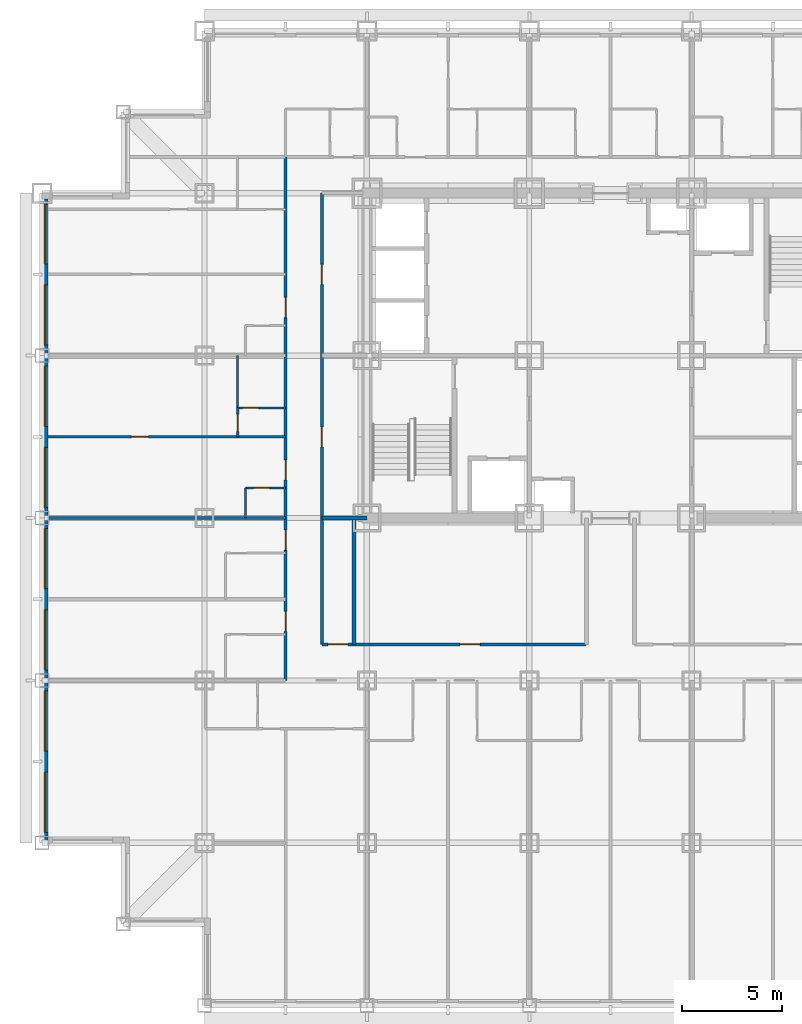
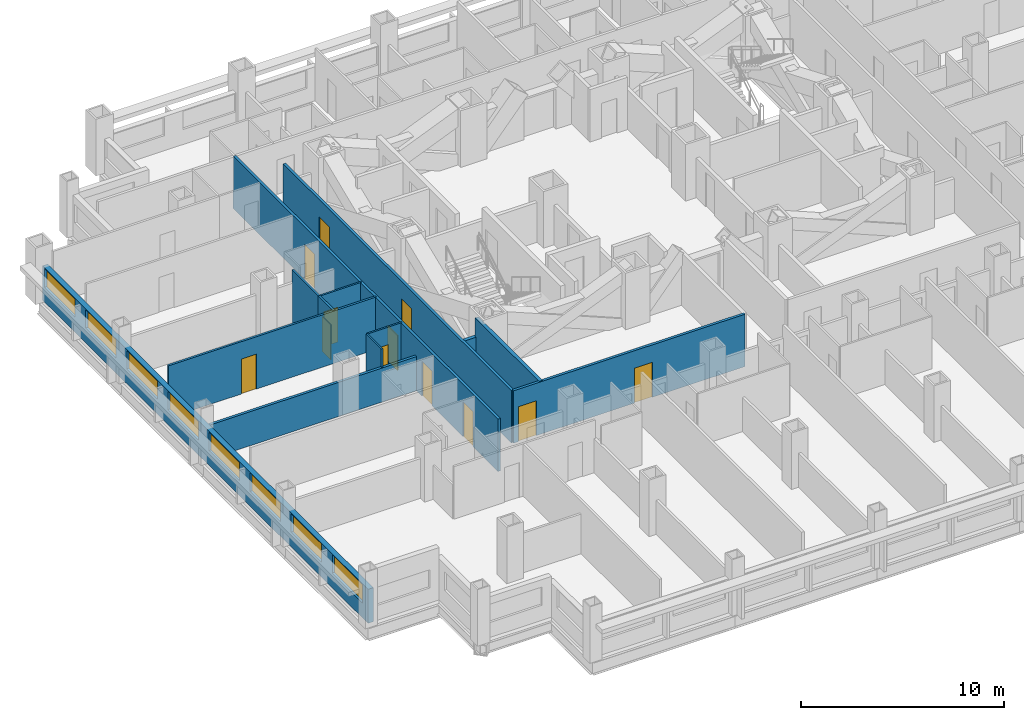
# One storey, part 5 of 12: 13 walls, 12 doors, 8 windows, 20 openings.
"""IFC4 building model written with IfcOpenShell, lengths in metres."""

from ifc_helpers import new_model, si_unit, direction, frame, frame_2d, origin, place, context, subcontext, project, spatial, rectangle, extrude, material, layer, layer_set, type_object, element, fill, save


model = new_model("IFC4")

# Units and contexts
model_context = context("Model", 3, precision=1e-05, world=origin(), true_north=direction((0.0, 1.0)))
body_context = subcontext(model_context, "Body", "Model", "MODEL_VIEW")
ifc_project = project(units=[si_unit("LENGTHUNIT", "METRE"), si_unit("AREAUNIT", "SQUARE_METRE"), si_unit("VOLUMEUNIT", "CUBIC_METRE"), si_unit("PLANEANGLEUNIT", "RADIAN"), si_unit("MASSUNIT", "GRAM", prefix="KILO")], contexts=[model_context])

# Site, building, storey
site_placement = place(None, origin())
site = spatial("IfcSite", under=ifc_project, at=site_placement, CompositionType="ELEMENT")
building_placement = place(site_placement, origin())
building = spatial("IfcBuilding", under=site, at=building_placement, Name="Kopane Lantern Tower", CompositionType="ELEMENT")
storey_placement = place(building_placement, frame((0.0, 0.0, 87.39990234375)))
storey = spatial("IfcBuildingStorey", under=building, at=storey_placement, Name="L22", CompositionType="ELEMENT", Elevation=87.39990234375)

# Wall, opening, door
ifc_material_1 = material(Name="Gypsum board on steel studs", Category="steel")
ifc_layer_1 = layer(ifc_material_1, 0.1201171875)
ifc_layer_set_1 = layer_set([ifc_layer_1], Name="APARTMENT INTERNAL WALL 120")
wall_type_1 = type_object("IfcWallType", Name="APARTMENT INTERNAL WALL 120", PredefinedType="PARTITIONING", material=ifc_layer_set_1)
wall_1_placement = place(storey_placement, frame((12.14990234375, 28.35009765625, 0.0), z_axis=(0.0, 0.0, 1.0), x_axis=(-1.0, 0.0, 0.0)))
wall_1 = element("IfcWall", 1, at=wall_1_placement, inside=storey, type_object=wall_type_1, Name="Apartment Internal Wall 120 L22", PredefinedType="PARTITIONING", context=body_context, shape_type="SweptSolid", body=[
    extrude(rectangle(XDim=11.849853515625, YDim=0.1201171875, at=frame_2d((5.9248046875, 0.0))), origin(), (0.0, 0.0, 1.0), 3.150146484375),
])
opening_1_placement = place(wall_1_placement, frame((6.85009765625, 0.0, 0.0)))
opening_1 = element("IfcOpeningElement", 2, at=opening_1_placement, cuts=wall_1, Name="Opening L22-040", PredefinedType="OPENING", context=body_context, shape_type="SweptSolid", body=[
    extrude(rectangle(XDim=0.85009765625, YDim=2.10009765625, at=frame_2d((0.425048828125, 1.050048828125))), frame((0.0, 0.070068359375, 0.0), z_axis=(0.0, -1.0, 0.0), x_axis=(1.0, 0.0, 0.0)), (0.0, 0.0, 1.0), 0.14013671875),
])
ifc_material_2 = material(Name="Timber door set", Category="wood")
door_type_1 = type_object("IfcDoorType", Name="DOOR D4 850x2100", OperationType="SINGLE_SWING_LEFT", PredefinedType="DOOR", material=ifc_material_2)
door_1_placement = place(opening_1_placement, origin())
door_1 = element("IfcDoor", 3, at=door_1_placement, inside=storey, type_object=door_type_1, Name="Door L22-040", OperationType="SINGLE_SWING_RIGHT", OverallHeight=2.10009765625, OverallWidth=0.85009765625, PredefinedType="DOOR", context=body_context, shape_type="SweptSolid", body=[
    extrude(rectangle(XDim=0.85009765625, YDim=2.10009765625, at=frame_2d((0.425048828125, 1.050048828125))), frame((0.0, 0.02490234375, 0.0), z_axis=(0.0, -1.0, 0.0), x_axis=(1.0, 0.0, 0.0)), (0.0, 0.0, 1.0), 0.050048828125),
])
fill(opening_1, door_1)

wall_2_placement = place(storey_placement, frame((9.75, 28.35009765625, 0.0), z_axis=(0.0, 0.0, 1.0), x_axis=(0.0, 1.0, 0.0)))
wall_2 = element("IfcWall", 4, at=wall_2_placement, inside=storey, type_object=wall_type_1, Name="Apartment Internal Wall 120 L22", PredefinedType="PARTITIONING", context=body_context, shape_type="SweptSolid", body=[
    extrude(rectangle(XDim=1.4599609375, YDim=0.1201171875, at=frame_2d((0.72998046875, 0.0))), origin(), (0.0, 0.0, 1.0), 3.150146484375),
])
opening_2_placement = place(wall_2_placement, frame((0.27490234375, 0.0, 0.0)))
opening_2 = element("IfcOpeningElement", 5, at=opening_2_placement, cuts=wall_2, Name="Opening L22-073", PredefinedType="OPENING", context=body_context, shape_type="SweptSolid", body=[
    extrude(rectangle(XDim=0.85009765625, YDim=2.10009765625, at=frame_2d((0.425048828125, 1.050048828125))), frame((0.0, 0.070068359375, 0.0), z_axis=(0.0, -1.0, 0.0), x_axis=(1.0, 0.0, 0.0)), (0.0, 0.0, 1.0), 0.14013671875),
])
door_2_placement = place(opening_2_placement, origin())
door_2 = element("IfcDoor", 6, at=door_2_placement, inside=storey, type_object=door_type_1, Name="Door L22-073", OperationType="SINGLE_SWING_LEFT", OverallHeight=2.10009765625, OverallWidth=0.85009765625, PredefinedType="DOOR", context=body_context, shape_type="SweptSolid", body=[
    extrude(rectangle(XDim=0.85009765625, YDim=2.10009765625, at=frame_2d((0.425048828125, 1.050048828125))), frame((0.0, 0.02490234375, 0.0), z_axis=(0.0, -1.0, 0.0), x_axis=(1.0, 0.0, 0.0)), (0.0, 0.0, 1.0), 0.050048828125),
])
fill(opening_2, door_2)

# Wall
ifc_material_3 = material(Name="Moisture-resistant board on steel studs", Category="steel")
ifc_layer_2 = layer(ifc_material_3, 0.10009765625)
ifc_layer_set_2 = layer_set([ifc_layer_2], Name="BATHROOM WALL 100")
wall_type_2 = type_object("IfcWallType", Name="BATHROOM WALL 100", PredefinedType="PARTITIONING", material=ifc_layer_set_2)
wall_3_placement = place(storey_placement, frame((10.14990234375, 24.300048828125, 0.0), z_axis=(0.0, 0.0, 1.0), x_axis=(0.0, 1.0, 0.0)))
element("IfcWall", 7, at=wall_3_placement, inside=storey, type_object=wall_type_2, Name="Bathroom Wall 100 L22", PredefinedType="PARTITIONING", context=body_context, shape_type="SweptSolid", body=[
    extrude(rectangle(XDim=1.5, YDim=0.10009765625, at=frame_2d((0.75, 0.0))), origin(), (0.0, 0.0, 1.0), 3.150146484375),
])

# Wall, opening, door
wall_4_placement = place(storey_placement, frame((12.14990234375, 25.800048828125, 0.0), z_axis=(0.0, 0.0, 1.0), x_axis=(-1.0, 0.0, 0.0)))
wall_4 = element("IfcWall", 8, at=wall_4_placement, inside=storey, type_object=wall_type_2, Name="Bathroom Wall 100 L22", PredefinedType="PARTITIONING", context=body_context, shape_type="SweptSolid", body=[
    extrude(rectangle(XDim=2.0, YDim=0.10009765625, at=frame_2d((1.0, 0.0))), origin(), (0.0, 0.0, 1.0), 3.150146484375),
])
opening_3_placement = place(wall_4_placement, frame((0.800048828125, 0.0, 0.0)))
opening_3 = element("IfcOpeningElement", 9, at=opening_3_placement, cuts=wall_4, Name="Opening L22-037", PredefinedType="OPENING", context=body_context, shape_type="SweptSolid", body=[
    extrude(rectangle(XDim=0.800048828125, YDim=2.10009765625, at=frame_2d((0.39990234375, 1.050048828125))), frame((0.0, 0.06005859375, 0.0), z_axis=(0.0, -1.0, 0.0), x_axis=(1.0, 0.0, 0.0)), (0.0, 0.0, 1.0), 0.1201171875),
])
ifc_material_4 = material(Name="Timber door set", Category="wood")
door_type_2 = type_object("IfcDoorType", Name="DOOR D2 800x2100", OperationType="SINGLE_SWING_LEFT", PredefinedType="DOOR", material=ifc_material_4)
door_3_placement = place(opening_3_placement, origin())
door_3 = element("IfcDoor", 10, at=door_3_placement, inside=storey, type_object=door_type_2, Name="Door L22-037", OperationType="SINGLE_SWING_RIGHT", OverallHeight=2.10009765625, OverallWidth=0.800048828125, PredefinedType="DOOR", context=body_context, shape_type="SweptSolid", body=[
    extrude(rectangle(XDim=0.800048828125, YDim=2.10009765625, at=frame_2d((0.39990234375, 1.050048828125))), frame((0.0, 0.02490234375, 0.0), z_axis=(0.0, -1.0, 0.0), x_axis=(1.0, 0.0, 0.0)), (0.0, 0.0, 1.0), 0.050048828125),
])
fill(opening_3, door_3)

# Wall
wall_5_placement = place(storey_placement, frame((9.75, 29.800048828125, 0.0), z_axis=(0.0, 0.0, 1.0), x_axis=(0.0, 1.0, 0.0)))
element("IfcWall", 11, at=wall_5_placement, inside=storey, type_object=wall_type_2, Name="Bathroom Wall 100 L22", PredefinedType="PARTITIONING", context=body_context, shape_type="SweptSolid", body=[
    extrude(rectangle(XDim=2.599853515625, YDim=0.10009765625, at=frame_2d((1.2998046875, 0.0))), origin(), (0.0, 0.0, 1.0), 3.150146484375),
])

# Wall, opening, door
wall_6_placement = place(storey_placement, frame((12.14990234375, 29.800048828125, 0.0), z_axis=(0.0, 0.0, 1.0), x_axis=(-1.0, 0.0, 0.0)))
wall_6 = element("IfcWall", 12, at=wall_6_placement, inside=storey, type_object=wall_type_2, Name="Bathroom Wall 100 L22", PredefinedType="PARTITIONING", context=body_context, shape_type="SweptSolid", body=[
    extrude(rectangle(XDim=2.39990234375, YDim=0.10009765625, at=frame_2d((1.199951171875, 0.0))), origin(), (0.0, 0.0, 1.0), 3.150146484375),
])
opening_4_placement = place(wall_6_placement, frame((1.35009765625, 0.0, 0.0)))
opening_4 = element("IfcOpeningElement", 13, at=opening_4_placement, cuts=wall_6, Name="Opening L22-039", PredefinedType="OPENING", context=body_context, shape_type="SweptSolid", body=[
    extrude(rectangle(XDim=0.800048828125, YDim=2.10009765625, at=frame_2d((0.39990234375, 1.050048828125))), frame((0.0, 0.06005859375, 0.0), z_axis=(0.0, -1.0, 0.0), x_axis=(1.0, 0.0, 0.0)), (0.0, 0.0, 1.0), 0.1201171875),
])
door_4_placement = place(opening_4_placement, origin())
door_4 = element("IfcDoor", 14, at=door_4_placement, inside=storey, type_object=door_type_2, Name="Door L22-039", OperationType="SINGLE_SWING_RIGHT", OverallHeight=2.10009765625, OverallWidth=0.800048828125, PredefinedType="DOOR", context=body_context, shape_type="SweptSolid", body=[
    extrude(rectangle(XDim=0.800048828125, YDim=2.10009765625, at=frame_2d((0.39990234375, 1.050048828125))), frame((0.0, 0.02490234375, 0.0), z_axis=(0.0, -1.0, 0.0), x_axis=(1.0, 0.0, 0.0)), (0.0, 0.0, 1.0), 0.050048828125),
])
fill(opening_4, door_4)

# Wall, openings, doors
ifc_material_5 = material(Name="Gypsum board on steel studs", Category="steel")
ifc_layer_3 = layer(ifc_material_5, 0.14990234375)
ifc_layer_set_3 = layer_set([ifc_layer_3], Name="CORRIDOR WALL 150 EI 60")
wall_type_3 = type_object("IfcWallType", Name="CORRIDOR WALL 150 EI 60", PredefinedType="PARTITIONING", material=ifc_layer_set_3)
wall_7_placement = place(storey_placement, frame((12.14990234375, 16.199951171875, 0.0), z_axis=(0.0, 0.0, 1.0), x_axis=(0.0, 1.0, 0.0)))
wall_7 = element("IfcWall", 15, at=wall_7_placement, inside=storey, type_object=wall_type_3, Name="Corridor Wall 150 Ei 60 L22", PredefinedType="PARTITIONING", context=body_context, shape_type="SweptSolid", body=[
    extrude(rectangle(XDim=26.10009765625, YDim=0.14990234375, at=frame_2d((13.050048828125, 0.0))), origin(), (0.0, 0.0, 1.0), 3.150146484375),
])
opening_5_placement = place(wall_7_placement, frame((2.449951171875, 0.0, 0.0)))
opening_5 = element("IfcOpeningElement", 16, at=opening_5_placement, cuts=wall_7, Name="Opening L22-034", PredefinedType="OPENING", context=body_context, shape_type="SweptSolid", body=[
    extrude(rectangle(XDim=1.0, YDim=2.10009765625, at=frame_2d((0.5, 1.050048828125))), frame((0.0, 0.0849609375, 0.0), z_axis=(0.0, -1.0, 0.0), x_axis=(1.0, 0.0, 0.0)), (0.0, 0.0, 1.0), 0.169921875),
])
opening_6_placement = place(wall_7_placement, frame((6.5, 0.0, 0.0)))
opening_6 = element("IfcOpeningElement", 17, at=opening_6_placement, cuts=wall_7, Name="Opening L22-036", PredefinedType="OPENING", context=body_context, shape_type="SweptSolid", body=[
    extrude(rectangle(XDim=1.0, YDim=2.10009765625, at=frame_2d((0.5, 1.050048828125))), frame((0.0, 0.0849609375, 0.0), z_axis=(0.0, -1.0, 0.0), x_axis=(1.0, 0.0, 0.0)), (0.0, 0.0, 1.0), 0.169921875),
])
opening_7_placement = place(wall_7_placement, frame((10.0, 0.0, 0.0)))
opening_7 = element("IfcOpeningElement", 18, at=opening_7_placement, cuts=wall_7, Name="Opening L22-038", PredefinedType="OPENING", context=body_context, shape_type="SweptSolid", body=[
    extrude(rectangle(XDim=1.0, YDim=2.10009765625, at=frame_2d((0.5, 1.050048828125))), frame((0.0, 0.0849609375, 0.0), z_axis=(0.0, -1.0, 0.0), x_axis=(1.0, 0.0, 0.0)), (0.0, 0.0, 1.0), 0.169921875),
])
opening_8_placement = place(wall_7_placement, frame((18.10009765625, 0.0, 0.0)))
opening_8 = element("IfcOpeningElement", 19, at=opening_8_placement, cuts=wall_7, Name="Opening L22-042", PredefinedType="OPENING", context=body_context, shape_type="SweptSolid", body=[
    extrude(rectangle(XDim=1.0, YDim=2.10009765625, at=frame_2d((0.5, 1.050048828125))), frame((0.0, 0.0849609375, 0.0), z_axis=(0.0, -1.0, 0.0), x_axis=(1.0, 0.0, 0.0)), (0.0, 0.0, 1.0), 0.169921875),
])
ifc_material_6 = material(Name="Steel door set", Category="steel")
door_type_3 = type_object("IfcDoorType", Name="DOOR D1 1000x2100 FD30S", OperationType="SINGLE_SWING_LEFT", PredefinedType="DOOR", material=ifc_material_6)
door_5_placement = place(opening_5_placement, origin())
door_5 = element("IfcDoor", 20, at=door_5_placement, inside=storey, type_object=door_type_3, Name="Door L22-034", OperationType="SINGLE_SWING_LEFT", OverallHeight=2.10009765625, OverallWidth=1.0, PredefinedType="DOOR", context=body_context, shape_type="SweptSolid", body=[
    extrude(rectangle(XDim=1.0, YDim=2.10009765625, at=frame_2d((0.5, 1.050048828125))), frame((0.0, 0.02490234375, 0.0), z_axis=(0.0, -1.0, 0.0), x_axis=(1.0, 0.0, 0.0)), (0.0, 0.0, 1.0), 0.050048828125),
])
fill(opening_5, door_5)
door_6_placement = place(opening_6_placement, origin())
door_6 = element("IfcDoor", 21, at=door_6_placement, inside=storey, type_object=door_type_3, Name="Door L22-036", OperationType="SINGLE_SWING_LEFT", OverallHeight=2.10009765625, OverallWidth=1.0, PredefinedType="DOOR", context=body_context, shape_type="SweptSolid", body=[
    extrude(rectangle(XDim=1.0, YDim=2.10009765625, at=frame_2d((0.5, 1.050048828125))), frame((0.0, 0.02490234375, 0.0), z_axis=(0.0, -1.0, 0.0), x_axis=(1.0, 0.0, 0.0)), (0.0, 0.0, 1.0), 0.050048828125),
])
fill(opening_6, door_6)
door_7_placement = place(opening_7_placement, origin())
door_7 = element("IfcDoor", 22, at=door_7_placement, inside=storey, type_object=door_type_3, Name="Door L22-038", OperationType="SINGLE_SWING_LEFT", OverallHeight=2.10009765625, OverallWidth=1.0, PredefinedType="DOOR", context=body_context, shape_type="SweptSolid", body=[
    extrude(rectangle(XDim=1.0, YDim=2.10009765625, at=frame_2d((0.5, 1.050048828125))), frame((0.0, 0.02490234375, 0.0), z_axis=(0.0, -1.0, 0.0), x_axis=(1.0, 0.0, 0.0)), (0.0, 0.0, 1.0), 0.050048828125),
])
fill(opening_7, door_7)
door_8_placement = place(opening_8_placement, origin())
door_8 = element("IfcDoor", 23, at=door_8_placement, inside=storey, type_object=door_type_3, Name="Door L22-042", OperationType="SINGLE_SWING_LEFT", OverallHeight=2.10009765625, OverallWidth=1.0, PredefinedType="DOOR", context=body_context, shape_type="SweptSolid", body=[
    extrude(rectangle(XDim=1.0, YDim=2.10009765625, at=frame_2d((0.5, 1.050048828125))), frame((0.0, 0.02490234375, 0.0), z_axis=(0.0, -1.0, 0.0), x_axis=(1.0, 0.0, 0.0)), (0.0, 0.0, 1.0), 0.050048828125),
])
fill(opening_8, door_8)

wall_8_placement = place(storey_placement, frame((13.949951171875, 40.5, 0.0), z_axis=(0.0, 0.0, 1.0), x_axis=(0.0, -1.0, 0.0)))
wall_8 = element("IfcWall", 24, at=wall_8_placement, inside=storey, type_object=wall_type_3, Name="Corridor Wall 150 Ei 60 L22", PredefinedType="PARTITIONING", context=body_context, shape_type="SweptSolid", body=[
    extrude(rectangle(XDim=22.5, YDim=0.14990234375, at=frame_2d((11.25, 0.0))), origin(), (0.0, 0.0, 1.0), 3.150146484375),
])
opening_9_placement = place(wall_8_placement, frame((11.64990234375, 0.0, 0.0)))
opening_9 = element("IfcOpeningElement", 25, at=opening_9_placement, cuts=wall_8, Name="Opening L22-001", PredefinedType="OPENING", context=body_context, shape_type="SweptSolid", body=[
    extrude(rectangle(XDim=1.0, YDim=2.10009765625, at=frame_2d((0.5, 1.050048828125))), frame((0.0, 0.0849609375, 0.0), z_axis=(0.0, -1.0, 0.0), x_axis=(1.0, 0.0, 0.0)), (0.0, 0.0, 1.0), 0.169921875),
])
opening_10_placement = place(wall_8_placement, frame((3.550048828125, 0.0, 0.0)))
opening_10 = element("IfcOpeningElement", 26, at=opening_10_placement, cuts=wall_8, Name="Opening L22-002", PredefinedType="OPENING", context=body_context, shape_type="SweptSolid", body=[
    extrude(rectangle(XDim=1.0, YDim=2.10009765625, at=frame_2d((0.5, 1.050048828125))), frame((0.0, 0.0849609375, 0.0), z_axis=(0.0, -1.0, 0.0), x_axis=(1.0, 0.0, 0.0)), (0.0, 0.0, 1.0), 0.169921875),
])
ifc_material_7 = material(Name="Steel door set", Category="steel")
door_type_4 = type_object("IfcDoorType", Name="DOOR D5 1000x2100 FD60", OperationType="SINGLE_SWING_LEFT", PredefinedType="DOOR", material=ifc_material_7)
door_9_placement = place(opening_9_placement, origin())
door_9 = element("IfcDoor", 27, at=door_9_placement, inside=storey, type_object=door_type_4, Name="Door L22-001", OperationType="SINGLE_SWING_RIGHT", OverallHeight=2.10009765625, OverallWidth=1.0, PredefinedType="DOOR", context=body_context, shape_type="SweptSolid", body=[
    extrude(rectangle(XDim=1.0, YDim=2.10009765625, at=frame_2d((0.5, 1.050048828125))), frame((0.0, 0.02490234375, 0.0), z_axis=(0.0, -1.0, 0.0), x_axis=(1.0, 0.0, 0.0)), (0.0, 0.0, 1.0), 0.050048828125),
])
fill(opening_9, door_9)
door_10_placement = place(opening_10_placement, origin())
door_10 = element("IfcDoor", 28, at=door_10_placement, inside=storey, type_object=door_type_4, Name="Door L22-002", OperationType="SINGLE_SWING_LEFT", OverallHeight=2.10009765625, OverallWidth=1.0, PredefinedType="DOOR", context=body_context, shape_type="SweptSolid", body=[
    extrude(rectangle(XDim=1.0, YDim=2.10009765625, at=frame_2d((0.5, 1.050048828125))), frame((0.0, 0.02490234375, 0.0), z_axis=(0.0, -1.0, 0.0), x_axis=(1.0, 0.0, 0.0)), (0.0, 0.0, 1.0), 0.050048828125),
])
fill(opening_10, door_10)

wall_9_placement = place(storey_placement, frame((13.949951171875, 18.0, 0.0), z_axis=(0.0, 0.0, 1.0), x_axis=(1.0, 0.0, 0.0)))
wall_9 = element("IfcWall", 29, at=wall_9_placement, inside=storey, type_object=wall_type_3, Name="Corridor Wall 150 Ei 60 L22", PredefinedType="PARTITIONING", context=body_context, shape_type="SweptSolid", body=[
    extrude(rectangle(XDim=13.18994140625, YDim=0.14990234375, at=frame_2d((6.594970703125, 0.0))), origin(), (0.0, 0.0, 1.0), 3.150146484375),
])
opening_11_placement = place(wall_9_placement, frame((0.300048828125, 0.0, 0.0)))
opening_11 = element("IfcOpeningElement", 30, at=opening_11_placement, cuts=wall_9, Name="Opening L22-005", PredefinedType="OPENING", context=body_context, shape_type="SweptSolid", body=[
    extrude(rectangle(XDim=1.0, YDim=2.10009765625, at=frame_2d((0.5, 1.050048828125))), frame((0.0, 0.0849609375, 0.0), z_axis=(0.0, -1.0, 0.0), x_axis=(1.0, 0.0, 0.0)), (0.0, 0.0, 1.0), 0.169921875),
])
opening_12_placement = place(wall_9_placement, frame((6.89990234375, 0.0, 0.0)))
opening_12 = element("IfcOpeningElement", 31, at=opening_12_placement, cuts=wall_9, Name="Opening L22-006", PredefinedType="OPENING", context=body_context, shape_type="SweptSolid", body=[
    extrude(rectangle(XDim=1.0, YDim=2.10009765625, at=frame_2d((0.5, 1.050048828125))), frame((0.0, 0.0849609375, 0.0), z_axis=(0.0, -1.0, 0.0), x_axis=(1.0, 0.0, 0.0)), (0.0, 0.0, 1.0), 0.169921875),
])
door_11_placement = place(opening_11_placement, origin())
door_11 = element("IfcDoor", 32, at=door_11_placement, inside=storey, type_object=door_type_4, Name="Door L22-005", OperationType="SINGLE_SWING_LEFT", OverallHeight=2.10009765625, OverallWidth=1.0, PredefinedType="DOOR", context=body_context, shape_type="SweptSolid", body=[
    extrude(rectangle(XDim=1.0, YDim=2.10009765625, at=frame_2d((0.5, 1.050048828125))), frame((0.0, 0.02490234375, 0.0), z_axis=(0.0, -1.0, 0.0), x_axis=(1.0, 0.0, 0.0)), (0.0, 0.0, 1.0), 0.050048828125),
])
fill(opening_11, door_11)
door_12_placement = place(opening_12_placement, origin())
door_12 = element("IfcDoor", 33, at=door_12_placement, inside=storey, type_object=door_type_4, Name="Door L22-006", OperationType="SINGLE_SWING_RIGHT", OverallHeight=2.10009765625, OverallWidth=1.0, PredefinedType="DOOR", context=body_context, shape_type="SweptSolid", body=[
    extrude(rectangle(XDim=1.0, YDim=2.10009765625, at=frame_2d((0.5, 1.050048828125))), frame((0.0, 0.02490234375, 0.0), z_axis=(0.0, -1.0, 0.0), x_axis=(1.0, 0.0, 0.0)), (0.0, 0.0, 1.0), 0.050048828125),
])
fill(opening_12, door_12)

# Wall
ifc_material_8 = material(Name="Gypsum board on steel studs", Category="steel")
ifc_layer_4 = layer(ifc_material_8, 0.14990234375)
ifc_layer_set_4 = layer_set([ifc_layer_4], Name="DEMISING WALL 150 EI 60")
wall_type_4 = type_object("IfcWallType", Name="DEMISING WALL 150 EI 60", PredefinedType="PARTITIONING", material=ifc_layer_set_4)
wall_10_placement = place(storey_placement, frame((12.14990234375, 24.300048828125, 0.0), z_axis=(0.0, 0.0, 1.0), x_axis=(-1.0, 0.0, 0.0)))
element("IfcWall", 34, at=wall_10_placement, inside=storey, type_object=wall_type_4, Name="Demising Wall 150 Ei 60 L22", PredefinedType="PARTITIONING", context=body_context, shape_type="SweptSolid", body=[
    extrude(rectangle(XDim=11.849853515625, YDim=0.14990234375, at=frame_2d((5.9248046875, 0.0))), origin(), (0.0, 0.0, 1.0), 2.050048828125),
])

# Wall, openings, windows
ifc_material_9 = material(Name="Terracotta rainscreen on light steel framing", Category="masonry")
ifc_layer_5 = layer(ifc_material_9, 0.300048828125)
ifc_layer_set_5 = layer_set([ifc_layer_5], Name="EXTERNAL WALL EW1 300 TERRACOTTA")
wall_type_5 = type_object("IfcWallType", Name="EXTERNAL WALL EW1 300 TERRACOTTA", PredefinedType="SOLIDWALL", material=ifc_layer_set_5)
wall_11_placement = place(storey_placement, frame((0.14990234375, 40.199951171875, 0.0), z_axis=(0.0, 0.0, 1.0), x_axis=(0.0, -1.0, 0.0)))
wall_11 = element("IfcWall", 35, at=wall_11_placement, inside=storey, type_object=wall_type_5, Name="External wall W L22", PredefinedType="SOLIDWALL", context=body_context, shape_type="SweptSolid", body=[
    extrude(rectangle(XDim=32.099853515625, YDim=0.300048828125, at=frame_2d((16.0498046875, 0.0))), origin(), (0.0, 0.0, 1.0), 2.050048828125),
])
opening_13_placement = place(wall_11_placement, frame((0.22509765625, 0.0, 0.89990234375)))
opening_13 = element("IfcOpeningElement", 36, at=opening_13_placement, cuts=wall_11, Name="Opening WR300110", PredefinedType="OPENING", context=body_context, shape_type="SweptSolid", body=[
    extrude(rectangle(XDim=3.0, YDim=1.10009765625, at=frame_2d((1.5, 0.550048828125))), frame((0.0, 0.159912109375, 0.0), z_axis=(0.0, -1.0, 0.0), x_axis=(1.0, 0.0, 0.0)), (0.0, 0.0, 1.0), 0.320068359375),
])
opening_14_placement = place(wall_11_placement, frame((4.27490234375, 0.0, 0.89990234375)))
opening_14 = element("IfcOpeningElement", 37, at=opening_14_placement, cuts=wall_11, Name="Opening WR300110", PredefinedType="OPENING", context=body_context, shape_type="SweptSolid", body=[
    extrude(rectangle(XDim=3.0, YDim=1.10009765625, at=frame_2d((1.5, 0.550048828125))), frame((0.0, 0.159912109375, 0.0), z_axis=(0.0, -1.0, 0.0), x_axis=(1.0, 0.0, 0.0)), (0.0, 0.0, 1.0), 0.320068359375),
])
opening_15_placement = place(wall_11_placement, frame((8.324951171875, 0.0, 0.89990234375)))
opening_15 = element("IfcOpeningElement", 38, at=opening_15_placement, cuts=wall_11, Name="Opening WR300110", PredefinedType="OPENING", context=body_context, shape_type="SweptSolid", body=[
    extrude(rectangle(XDim=3.0, YDim=1.10009765625, at=frame_2d((1.5, 0.550048828125))), frame((0.0, 0.159912109375, 0.0), z_axis=(0.0, -1.0, 0.0), x_axis=(1.0, 0.0, 0.0)), (0.0, 0.0, 1.0), 0.320068359375),
])
opening_16_placement = place(wall_11_placement, frame((12.375, 0.0, 0.89990234375)))
opening_16 = element("IfcOpeningElement", 39, at=opening_16_placement, cuts=wall_11, Name="Opening WR300110", PredefinedType="OPENING", context=body_context, shape_type="SweptSolid", body=[
    extrude(rectangle(XDim=3.0, YDim=1.10009765625, at=frame_2d((1.5, 0.550048828125))), frame((0.0, 0.159912109375, 0.0), z_axis=(0.0, -1.0, 0.0), x_axis=(1.0, 0.0, 0.0)), (0.0, 0.0, 1.0), 0.320068359375),
])
opening_17_placement = place(wall_11_placement, frame((16.425048828125, 0.0, 0.89990234375)))
opening_17 = element("IfcOpeningElement", 40, at=opening_17_placement, cuts=wall_11, Name="Opening WR300110", PredefinedType="OPENING", context=body_context, shape_type="SweptSolid", body=[
    extrude(rectangle(XDim=3.0, YDim=1.10009765625, at=frame_2d((1.5, 0.550048828125))), frame((0.0, 0.159912109375, 0.0), z_axis=(0.0, -1.0, 0.0), x_axis=(1.0, 0.0, 0.0)), (0.0, 0.0, 1.0), 0.320068359375),
])
opening_18_placement = place(wall_11_placement, frame((20.47509765625, 0.0, 0.89990234375)))
opening_18 = element("IfcOpeningElement", 41, at=opening_18_placement, cuts=wall_11, Name="Opening WR300110", PredefinedType="OPENING", context=body_context, shape_type="SweptSolid", body=[
    extrude(rectangle(XDim=3.0, YDim=1.10009765625, at=frame_2d((1.5, 0.550048828125))), frame((0.0, 0.159912109375, 0.0), z_axis=(0.0, -1.0, 0.0), x_axis=(1.0, 0.0, 0.0)), (0.0, 0.0, 1.0), 0.320068359375),
])
opening_19_placement = place(wall_11_placement, frame((24.52490234375, 0.0, 0.89990234375)))
opening_19 = element("IfcOpeningElement", 42, at=opening_19_placement, cuts=wall_11, Name="Opening WR300110", PredefinedType="OPENING", context=body_context, shape_type="SweptSolid", body=[
    extrude(rectangle(XDim=3.0, YDim=1.10009765625, at=frame_2d((1.5, 0.550048828125))), frame((0.0, 0.159912109375, 0.0), z_axis=(0.0, -1.0, 0.0), x_axis=(1.0, 0.0, 0.0)), (0.0, 0.0, 1.0), 0.320068359375),
])
opening_20_placement = place(wall_11_placement, frame((28.574951171875, 0.0, 0.89990234375)))
opening_20 = element("IfcOpeningElement", 43, at=opening_20_placement, cuts=wall_11, Name="Opening WR300110", PredefinedType="OPENING", context=body_context, shape_type="SweptSolid", body=[
    extrude(rectangle(XDim=3.0, YDim=1.10009765625, at=frame_2d((1.5, 0.550048828125))), frame((0.0, 0.159912109375, 0.0), z_axis=(0.0, -1.0, 0.0), x_axis=(1.0, 0.0, 0.0)), (0.0, 0.0, 1.0), 0.320068359375),
])
ifc_material_10 = material(Name="Aluminium and clear glass", Category="aluminium")
window_type = type_object("IfcWindowType", Name="RIBBON WINDOW WR300110 3000x1100", PartitioningType="SINGLE_PANEL", PredefinedType="WINDOW", material=ifc_material_10)
window_1_placement = place(opening_13_placement, origin())
window_1 = element("IfcWindow", 44, at=window_1_placement, inside=storey, type_object=window_type, Name="Window W L22", OverallHeight=1.10009765625, OverallWidth=3.0, PartitioningType="SINGLE_PANEL", PredefinedType="WINDOW", context=body_context, shape_type="SweptSolid", body=[
    extrude(rectangle(XDim=3.0, YDim=1.10009765625, at=frame_2d((1.5, 0.550048828125))), frame((0.0, 0.030029296875, 0.0), z_axis=(0.0, -1.0, 0.0), x_axis=(1.0, 0.0, 0.0)), (0.0, 0.0, 1.0), 0.06005859375),
])
fill(opening_13, window_1)
window_2_placement = place(opening_14_placement, origin())
window_2 = element("IfcWindow", 45, at=window_2_placement, inside=storey, type_object=window_type, Name="Window W L22", OverallHeight=1.10009765625, OverallWidth=3.0, PartitioningType="SINGLE_PANEL", PredefinedType="WINDOW", context=body_context, shape_type="SweptSolid", body=[
    extrude(rectangle(XDim=3.0, YDim=1.10009765625, at=frame_2d((1.5, 0.550048828125))), frame((0.0, 0.030029296875, 0.0), z_axis=(0.0, -1.0, 0.0), x_axis=(1.0, 0.0, 0.0)), (0.0, 0.0, 1.0), 0.06005859375),
])
fill(opening_14, window_2)
window_3_placement = place(opening_15_placement, origin())
window_3 = element("IfcWindow", 46, at=window_3_placement, inside=storey, type_object=window_type, Name="Window W L22", OverallHeight=1.10009765625, OverallWidth=3.0, PartitioningType="SINGLE_PANEL", PredefinedType="WINDOW", context=body_context, shape_type="SweptSolid", body=[
    extrude(rectangle(XDim=3.0, YDim=1.10009765625, at=frame_2d((1.5, 0.550048828125))), frame((0.0, 0.030029296875, 0.0), z_axis=(0.0, -1.0, 0.0), x_axis=(1.0, 0.0, 0.0)), (0.0, 0.0, 1.0), 0.06005859375),
])
fill(opening_15, window_3)
window_4_placement = place(opening_16_placement, origin())
window_4 = element("IfcWindow", 47, at=window_4_placement, inside=storey, type_object=window_type, Name="Window W L22", OverallHeight=1.10009765625, OverallWidth=3.0, PartitioningType="SINGLE_PANEL", PredefinedType="WINDOW", context=body_context, shape_type="SweptSolid", body=[
    extrude(rectangle(XDim=3.0, YDim=1.10009765625, at=frame_2d((1.5, 0.550048828125))), frame((0.0, 0.030029296875, 0.0), z_axis=(0.0, -1.0, 0.0), x_axis=(1.0, 0.0, 0.0)), (0.0, 0.0, 1.0), 0.06005859375),
])
fill(opening_16, window_4)
window_5_placement = place(opening_17_placement, origin())
window_5 = element("IfcWindow", 48, at=window_5_placement, inside=storey, type_object=window_type, Name="Window W L22", OverallHeight=1.10009765625, OverallWidth=3.0, PartitioningType="SINGLE_PANEL", PredefinedType="WINDOW", context=body_context, shape_type="SweptSolid", body=[
    extrude(rectangle(XDim=3.0, YDim=1.10009765625, at=frame_2d((1.5, 0.550048828125))), frame((0.0, 0.030029296875, 0.0), z_axis=(0.0, -1.0, 0.0), x_axis=(1.0, 0.0, 0.0)), (0.0, 0.0, 1.0), 0.06005859375),
])
fill(opening_17, window_5)
window_6_placement = place(opening_18_placement, origin())
window_6 = element("IfcWindow", 49, at=window_6_placement, inside=storey, type_object=window_type, Name="Window W L22", OverallHeight=1.10009765625, OverallWidth=3.0, PartitioningType="SINGLE_PANEL", PredefinedType="WINDOW", context=body_context, shape_type="SweptSolid", body=[
    extrude(rectangle(XDim=3.0, YDim=1.10009765625, at=frame_2d((1.5, 0.550048828125))), frame((0.0, 0.030029296875, 0.0), z_axis=(0.0, -1.0, 0.0), x_axis=(1.0, 0.0, 0.0)), (0.0, 0.0, 1.0), 0.06005859375),
])
fill(opening_18, window_6)
window_7_placement = place(opening_19_placement, origin())
window_7 = element("IfcWindow", 50, at=window_7_placement, inside=storey, type_object=window_type, Name="Window W L22", OverallHeight=1.10009765625, OverallWidth=3.0, PartitioningType="SINGLE_PANEL", PredefinedType="WINDOW", context=body_context, shape_type="SweptSolid", body=[
    extrude(rectangle(XDim=3.0, YDim=1.10009765625, at=frame_2d((1.5, 0.550048828125))), frame((0.0, 0.030029296875, 0.0), z_axis=(0.0, -1.0, 0.0), x_axis=(1.0, 0.0, 0.0)), (0.0, 0.0, 1.0), 0.06005859375),
])
fill(opening_19, window_7)
window_8_placement = place(opening_20_placement, origin())
window_8 = element("IfcWindow", 51, at=window_8_placement, inside=storey, type_object=window_type, Name="Window W L22", OverallHeight=1.10009765625, OverallWidth=3.0, PartitioningType="SINGLE_PANEL", PredefinedType="WINDOW", context=body_context, shape_type="SweptSolid", body=[
    extrude(rectangle(XDim=3.0, YDim=1.10009765625, at=frame_2d((1.5, 0.550048828125))), frame((0.0, 0.030029296875, 0.0), z_axis=(0.0, -1.0, 0.0), x_axis=(1.0, 0.0, 0.0)), (0.0, 0.0, 1.0), 0.06005859375),
])
fill(opening_20, window_8)

# Walls
ifc_material_11 = material(Name="Concrete masonry", Category="masonry")
ifc_layer_6 = layer(ifc_material_11, 0.199951171875)
ifc_layer_set_6 = layer_set([ifc_layer_6], Name="PLANT ROOM WALL 200 EI 120")
wall_type_6 = type_object("IfcWallType", Name="PLANT ROOM WALL 200 EI 120", PredefinedType="SOLIDWALL", material=ifc_layer_set_6)
wall_12_placement = place(storey_placement, frame((15.550048828125, 18.0, 0.0), z_axis=(0.0, 0.0, 1.0), x_axis=(0.0, 1.0, 0.0)))
element("IfcWall", 52, at=wall_12_placement, inside=storey, type_object=wall_type_6, Name="Plant Room Wall 200 Ei 120 L22", PredefinedType="SOLIDWALL", context=body_context, shape_type="SweptSolid", body=[
    extrude(rectangle(XDim=6.300048828125, YDim=0.199951171875, at=frame_2d((3.14990234375, 0.0))), origin(), (0.0, 0.0, 1.0), 3.150146484375),
])
wall_13_placement = place(storey_placement, frame((13.949951171875, 24.300048828125, 0.0), z_axis=(0.0, 0.0, 1.0), x_axis=(1.0, 0.0, 0.0)))
element("IfcWall", 53, at=wall_13_placement, inside=storey, type_object=wall_type_6, Name="Plant Room Wall 200 Ei 120 L22", PredefinedType="SOLIDWALL", context=body_context, shape_type="SweptSolid", body=[
    extrude(rectangle(XDim=2.25, YDim=0.199951171875, at=frame_2d((1.125, 0.0))), origin(), (0.0, 0.0, 1.0), 2.050048828125),
])

save(model, "model.ifc")
